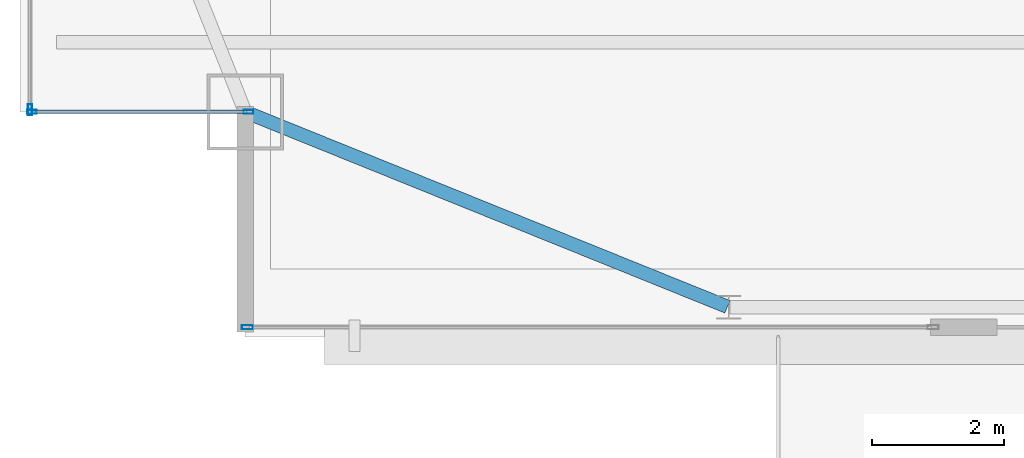
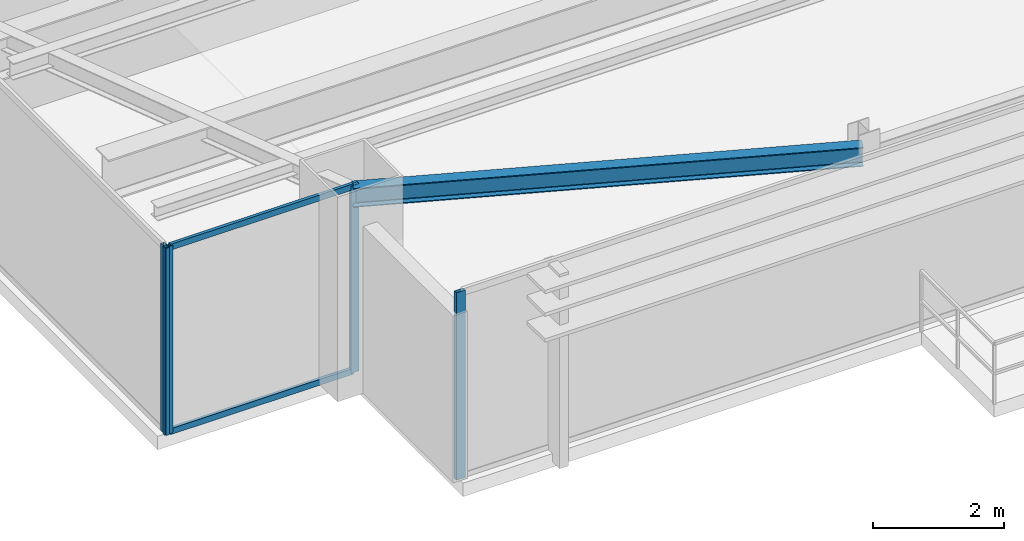
# One storey, part 4 of 28: 6 members, 1 beam, 3 elements without a shape of their own.
"""IFC4 building model written with IfcOpenShell, lengths in metres."""

from ifc_helpers import new_model, si_unit, direction, frame, origin, origin_2d, place, context, subcontext, project, spatial, hollow_rectangle, i_section, extrude, source, transform, mapped, material, layer, layer_set, material_profile, profile_set, type_object, type_shapes, element, aggregate, save


model = new_model("IFC4")

# Units and contexts
model_context = context("Model", 3, precision=1e-05, world=origin(), true_north=direction((0.0, 1.0)))
body_context = subcontext(model_context, "Body", "Model", "MODEL_VIEW")
ifc_project = project(units=[si_unit("LENGTHUNIT", "METRE"), si_unit("AREAUNIT", "SQUARE_METRE"), si_unit("VOLUMEUNIT", "CUBIC_METRE"), si_unit("PLANEANGLEUNIT", "RADIAN"), si_unit("MASSUNIT", "GRAM", prefix="KILO")], contexts=[model_context])

# Site, building, storey
site_placement = place(None, origin())
site = spatial("IfcSite", under=ifc_project, at=site_placement, CompositionType="ELEMENT")
building_placement = place(site_placement, origin())
building = spatial("IfcBuilding", under=site, at=building_placement, Name="Varnel Quay Broadcast Tower", CompositionType="ELEMENT")
storey_placement = place(building_placement, frame((0.0, 0.0, 230.199951171875)))
storey = spatial("IfcBuildingStorey", under=building, at=storey_placement, Name="L57", CompositionType="ELEMENT", Elevation=230.199951171875)

# Beam
ifc_material_1 = material(Name="Structural Steel CSA G40.21 350W", Category="steel")
ifc_material_profile_1 = material_profile(ifc_material_1, i_section(OverallWidth=0.205078125, OverallDepth=0.35400390625, WebThickness=0.009521484375, FlangeThickness=0.016845703125, FilletRadius=0.012939453125, at=origin_2d()), Name="W360X79")
ifc_profile_set_1 = profile_set([ifc_material_profile_1], Name="Structural Steel CSA G40.21 350W")
beam_type = type_object("IfcBeamType", Name="Beam_W360X79", PredefinedType="SPANDREL", material=ifc_profile_set_1)
shared_shape_1 = source(origin(), body_context, "Body", "SweptSolid", [
    extrude(i_section(OverallWidth=0.205078125, OverallDepth=0.35400390625, WebThickness=0.009521484375, FlangeThickness=0.016845703125, FilletRadius=0.012939453125, at=origin_2d()), origin(), (0.0, 0.0, 1.0), 7.83349609375),
])
type_shapes(beam_type, [shared_shape_1])
beam_placement = place(storey_placement, frame((12.91845703125, 13.592529296875, 3.302978515625), z_axis=(0.927155449606, -0.374676890489, 0.0), x_axis=(0.374676890489, 0.927155449606, 0.0)))
element("IfcBeam", 1, at=beam_placement, inside=storey, type_object=beam_type, Name="L57 South Spandrel MC-SW-TC-S1", PredefinedType="SPANDREL", context=body_context, shape_type="MappedRepresentation", body=[
    mapped(shared_shape_1, transform((0.0, 0.0, 0.0), x_axis=(1.0, 0.0, 0.0), y_axis=(0.0, 1.0, 0.0), z_axis=(0.0, 0.0, 1.0), scale=1.0)),
])

# Curtain wall, members
ifc_material_2 = material(Name="Anodised Bronze Aluminium 6063-T6", Category="aluminium")
ifc_layer_1 = layer(ifc_material_2, 0.18994140625, Name="Anodised Bronze Aluminium 6063-T6")
ifc_layer_set_1 = layer_set([ifc_layer_1], Name="Anodised Bronze Aluminium 6063-T6")
curtain_wall_type_1 = type_object("IfcCurtainWallType", Name="CW_NotchCorner", PredefinedType="NOTDEFINED", material=ifc_layer_set_1)
curtain_wall_1_placement = place(storey_placement, origin())
curtain_wall_1 = element("IfcCurtainWall", 2, at=curtain_wall_1_placement, inside=storey, type_object=curtain_wall_type_1, Name="L57 SW Notch Curtain Wall", PredefinedType="NOTDEFINED")
ifc_material_profile_2 = material_profile(ifc_material_2, hollow_rectangle(XDim=0.06005859375, YDim=0.14501953125, WallThickness=0.00341796875, at=origin_2d()), Name="ALU60X145X3.5")
ifc_profile_set_2 = profile_set([ifc_material_profile_2], Name="Anodised Bronze Aluminium 6063-T6")
member_type_1 = type_object("IfcMemberType", Name="Mull_CWS-04", PredefinedType="MULLION", material=ifc_profile_set_2)
shared_shape_2 = source(origin(), body_context, "Body", "SweptSolid", [
    extrude(hollow_rectangle(XDim=0.06005859375, YDim=0.14501953125, WallThickness=0.00341796875, at=origin_2d()), origin(), (0.0, 0.0, 1.0), 3.47998046875),
])
type_shapes(member_type_1, [shared_shape_2])
member_1_placement = place(storey_placement, frame((9.679931640625, 13.60009765625, 0.0), z_axis=(0.0, 0.0, 1.0), x_axis=(0.0, 1.0, 0.0)))
member_1 = element("IfcMember", 3, at=member_1_placement, type_object=member_type_1, Name="CWS-04 mullion 1", PredefinedType="MULLION", context=body_context, shape_type="MappedRepresentation", body=[
    mapped(shared_shape_2, transform((0.0, 0.0, 0.0), x_axis=(1.0, 0.0, 0.0), y_axis=(0.0, 1.0, 0.0), z_axis=(0.0, 0.0, 1.0), scale=1.0)),
])
member_2_placement = place(storey_placement, frame((12.949951171875, 13.60009765625, 0.0), z_axis=(0.0, 0.0, 1.0), x_axis=(0.0, 1.0, 0.0)))
member_2 = element("IfcMember", 4, at=member_2_placement, type_object=member_type_1, Name="CWS-04 mullion 2", PredefinedType="MULLION", context=body_context, shape_type="MappedRepresentation", body=[
    mapped(shared_shape_2, transform((0.0, 0.0, 0.0), x_axis=(1.0, 0.0, 0.0), y_axis=(0.0, 1.0, 0.0), z_axis=(0.0, 0.0, 1.0), scale=1.0)),
])
ifc_material_profile_3 = material_profile(ifc_material_2, hollow_rectangle(XDim=0.054931640625, YDim=0.110107421875, WallThickness=0.0029296875, at=origin_2d()), Name="ALU55X110X3")
ifc_profile_set_3 = profile_set([ifc_material_profile_3], Name="Anodised Bronze Aluminium 6063-T6")
member_type_2 = type_object("IfcMemberType", Name="Tran_CWS-04", PredefinedType="USERDEFINED", material=ifc_profile_set_3)
shared_shape_3 = source(origin(), body_context, "Body", "SweptSolid", [
    extrude(hollow_rectangle(XDim=0.054931640625, YDim=0.110107421875, WallThickness=0.0029296875, at=origin_2d()), origin(), (0.0, 0.0, 1.0), 3.2099609375),
])
type_shapes(member_type_2, [shared_shape_3])
member_3_placement = place(storey_placement, frame((9.7099609375, 13.60009765625, 0.027587890625), z_axis=(1.0, 0.0, 0.0), x_axis=(0.0, 1.0, 0.0)))
member_3 = element("IfcMember", 5, at=member_3_placement, type_object=member_type_2, Name="CWS-04 transom 1.1", ObjectType="TRANSOM", PredefinedType="USERDEFINED", context=body_context, shape_type="MappedRepresentation", body=[
    mapped(shared_shape_3, transform((0.0, 0.0, 0.0), x_axis=(1.0, 0.0, 0.0), y_axis=(0.0, 1.0, 0.0), z_axis=(0.0, 0.0, 1.0), scale=1.0)),
])
member_4_placement = place(storey_placement, frame((9.7099609375, 13.60009765625, 3.45263671875), z_axis=(1.0, 0.0, 0.0), x_axis=(0.0, 1.0, 0.0)))
member_4 = element("IfcMember", 6, at=member_4_placement, type_object=member_type_2, Name="CWS-04 transom 1.2", ObjectType="TRANSOM", PredefinedType="USERDEFINED", context=body_context, shape_type="MappedRepresentation", body=[
    mapped(shared_shape_3, transform((0.0, 0.0, 0.0), x_axis=(1.0, 0.0, 0.0), y_axis=(0.0, 1.0, 0.0), z_axis=(0.0, 0.0, 1.0), scale=1.0)),
])
aggregate(curtain_wall_1, [member_1, member_2, member_3, member_4])

# Curtain wall, member
ifc_layer_2 = layer(ifc_material_2, 0.18994140625, Name="Anodised Bronze Aluminium 6063-T6")
ifc_layer_set_2 = layer_set([ifc_layer_2], Name="Anodised Bronze Aluminium 6063-T6")
curtain_wall_type_2 = type_object("IfcCurtainWallType", Name="CW_UpperTower", PredefinedType="NOTDEFINED", material=ifc_layer_set_2)
curtain_wall_2_placement = place(storey_placement, origin())
curtain_wall_2 = element("IfcCurtainWall", 7, at=curtain_wall_2_placement, inside=storey, type_object=curtain_wall_type_2, Name="L57 South Unitised Curtain Wall 1", PredefinedType="NOTDEFINED")
ifc_material_profile_4 = material_profile(ifc_material_2, hollow_rectangle(XDim=0.06494140625, YDim=0.1650390625, WallThickness=0.00341796875, at=origin_2d()), Name="ALU65X165X3.5")
ifc_profile_set_4 = profile_set([ifc_material_profile_4], Name="Anodised Bronze Aluminium 6063-T6")
member_type_3 = type_object("IfcMemberType", Name="Mull_CWS-03", PredefinedType="MULLION", material=ifc_profile_set_4)
shared_shape_4 = source(origin(), body_context, "Body", "SweptSolid", [
    extrude(hollow_rectangle(XDim=0.06494140625, YDim=0.1650390625, WallThickness=0.00341796875, at=origin_2d()), origin(), (0.0, 0.0, 1.0), 3.47998046875),
])
type_shapes(member_type_3, [shared_shape_4])
member_5_placement = place(storey_placement, frame((12.9326171875, 10.35009765625, 0.0), z_axis=(0.0, 0.0, 1.0), x_axis=(0.0, 1.0, 0.0)))
member_5 = element("IfcMember", 8, at=member_5_placement, type_object=member_type_3, Name="CWS-03 mullion 1", PredefinedType="MULLION", context=body_context, shape_type="MappedRepresentation", body=[
    mapped(shared_shape_4, transform((0.0, 0.0, 0.0), x_axis=(1.0, 0.0, 0.0), y_axis=(0.0, 1.0, 0.0), z_axis=(0.0, 0.0, 1.0), scale=1.0)),
])
aggregate(curtain_wall_2, [member_5])

curtain_wall_3_placement = place(storey_placement, origin())
curtain_wall_3 = element("IfcCurtainWall", 9, at=curtain_wall_3_placement, inside=storey, type_object=curtain_wall_type_2, Name="L57 West Unitised Curtain Wall", PredefinedType="NOTDEFINED")
member_6_placement = place(storey_placement, frame((9.64990234375, 13.632568359375, 0.0), z_axis=(0.0, 0.0, 1.0), x_axis=(-1.0, 0.0, 0.0)))
member_6 = element("IfcMember", 10, at=member_6_placement, type_object=member_type_3, Name="CWS-03 mullion 1", PredefinedType="MULLION", context=body_context, shape_type="MappedRepresentation", body=[
    mapped(shared_shape_4, transform((0.0, 0.0, 0.0), x_axis=(1.0, 0.0, 0.0), y_axis=(0.0, 1.0, 0.0), z_axis=(0.0, 0.0, 1.0), scale=1.0)),
])
aggregate(curtain_wall_3, [member_6])

save(model, "model.ifc")
